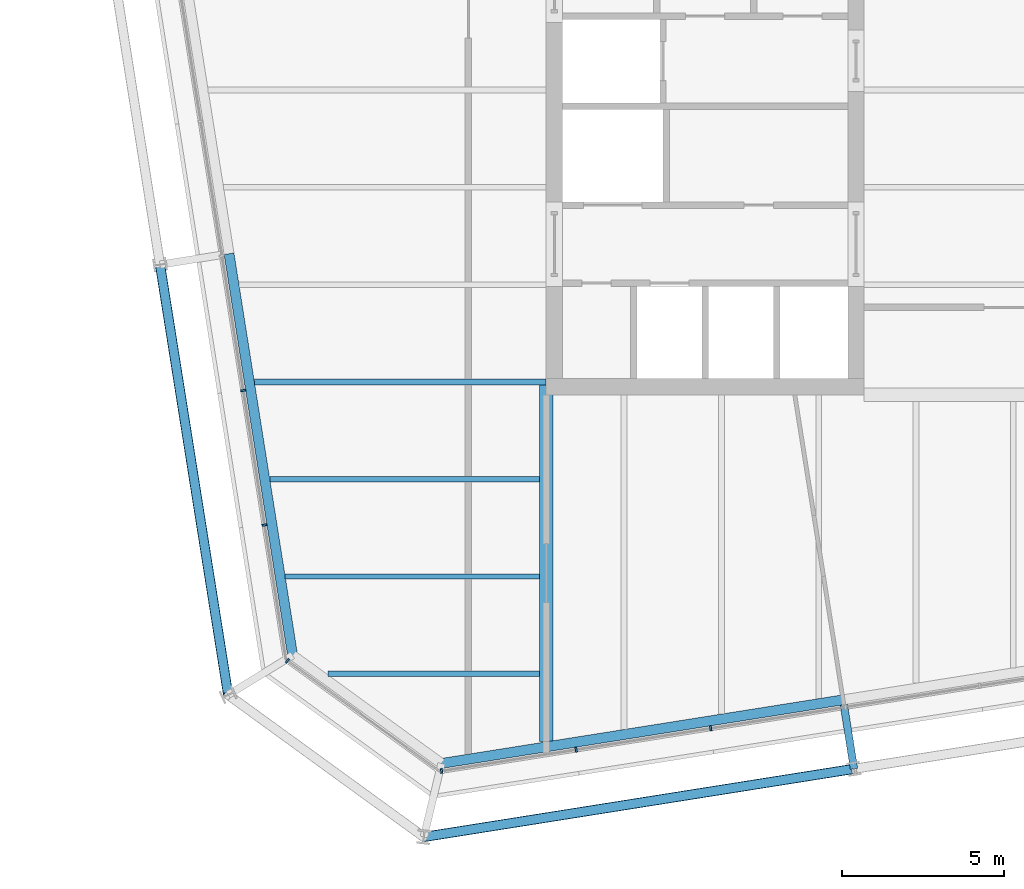
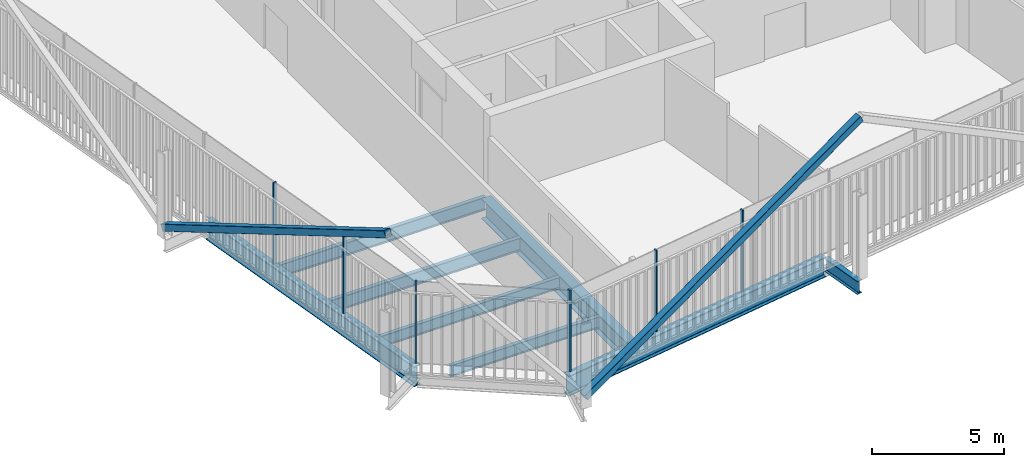
# One storey, part 2 of 21: 8 beams, 8 members, 3 elements without a shape of their own.
"""IFC4 building model written with IfcOpenShell, lengths in metres."""

from ifc_helpers import new_model, si_unit, direction, frame, origin, origin_2d, place, context, subcontext, project, spatial, rectangle, hollow_rectangle, i_section, extrude, material, layer, layer_set, material_profile, profile_set, type_object, element, aggregate, save


model = new_model("IFC4")

# Units and contexts
model_context = context("Model", 3, precision=1e-05, world=origin(), true_north=direction((0.0, 1.0)))
body_context = subcontext(model_context, "Body", "Model", "MODEL_VIEW")
ifc_project = project(units=[si_unit("LENGTHUNIT", "METRE"), si_unit("AREAUNIT", "SQUARE_METRE"), si_unit("VOLUMEUNIT", "CUBIC_METRE"), si_unit("PLANEANGLEUNIT", "RADIAN"), si_unit("MASSUNIT", "GRAM", prefix="KILO")], contexts=[model_context])

# Site, building, storey
site_placement = place(None, origin())
site = spatial("IfcSite", under=ifc_project, at=site_placement, CompositionType="ELEMENT")
building_placement = place(site_placement, origin())
building = spatial("IfcBuilding", under=site, at=building_placement, Name="Millrace Tower", CompositionType="ELEMENT")
storey_placement = place(building_placement, frame((0.0, 0.0, 228.10009765625)))
storey = spatial("IfcBuildingStorey", under=building, at=storey_placement, Name="L52", CompositionType="ELEMENT", Elevation=228.10009765625)

# Curtain wall, member
ifc_material_1 = material(Name="Aluminium and glass", Category="aluminium")
ifc_layer = layer(ifc_material_1, 0.14990234375)
ifc_layer_set = layer_set([ifc_layer], Name="Aluminium and glass")
curtain_wall_type = type_object("IfcCurtainWallType", Name="CW-1 office vision curtain wall", PredefinedType="NOTDEFINED", material=ifc_layer_set)
placement = place(storey_placement, origin())
curtain_wall_1 = element("IfcCurtainWall", 1, at=placement, inside=storey, type_object=curtain_wall_type, Name="Curtain wall D-F01 L52", PredefinedType="NOTDEFINED")
ifc_material_2 = material(Name="Aluminium", Category="aluminium")
ifc_material_profile_1 = material_profile(ifc_material_2, rectangle(XDim=0.06494140625, YDim=0.14990234375, at=origin_2d()))
ifc_profile_set_1 = profile_set([ifc_material_profile_1], Name="Aluminium")
member_type_1 = type_object("IfcMemberType", Name="CW-1 office vision curtain wall mullion", PredefinedType="MULLION", material=ifc_profile_set_1)
member_1_placement = place(storey_placement, frame((-22.3779296875, -17.594970703125, 0.139892578125), z_axis=(0.0, 0.0, 1.0), x_axis=(0.809016955361, -0.587785305991, 0.0)))
member_1 = element("IfcMember", 2, at=member_1_placement, type_object=member_type_1, Name="CW1 mullion D-F01.1", PredefinedType="MULLION", context=body_context, shape_type="SweptSolid", body=[
    extrude(rectangle(XDim=0.06494140625, YDim=0.14990234375, at=origin_2d()), origin(), (0.0, 0.0, 1.0), 3.760009765625),
])
aggregate(curtain_wall_1, [member_1])

# Curtain wall, members
curtain_wall_2 = element("IfcCurtainWall", 3, at=placement, inside=storey, type_object=curtain_wall_type, Name="Curtain wall D-F02 L52", PredefinedType="NOTDEFINED")
member_2_placement = place(storey_placement, frame((-17.62548828125, -20.992431640625, 0.139892578125), z_axis=(0.0, 0.0, 1.0), x_axis=(0.987688339511, 0.156434471884, 0.0)))
member_2 = element("IfcMember", 4, at=member_2_placement, type_object=member_type_1, Name="CW1 mullion D-F02.1", PredefinedType="MULLION", context=body_context, shape_type="SweptSolid", body=[
    extrude(rectangle(XDim=0.06494140625, YDim=0.14990234375, at=origin_2d()), origin(), (0.0, 0.0, 1.0), 3.760009765625),
])
member_3_placement = place(storey_placement, frame((-13.477294921875, -20.33544921875, 0.139892578125), z_axis=(0.0, 0.0, 1.0), x_axis=(0.987688339511, 0.156434471884, 0.0)))
member_3 = element("IfcMember", 5, at=member_3_placement, type_object=member_type_1, Name="CW1 mullion D-F02.2", PredefinedType="MULLION", context=body_context, shape_type="SweptSolid", body=[
    extrude(rectangle(XDim=0.06494140625, YDim=0.14990234375, at=origin_2d()), origin(), (0.0, 0.0, 1.0), 3.760009765625),
])
member_4_placement = place(storey_placement, frame((-9.328857421875, -19.678466796875, 0.139892578125), z_axis=(0.0, 0.0, 1.0), x_axis=(0.987688339511, 0.156434471884, 0.0)))
member_4 = element("IfcMember", 6, at=member_4_placement, type_object=member_type_1, Name="CW1 mullion D-F02.3", PredefinedType="MULLION", context=body_context, shape_type="SweptSolid", body=[
    extrude(rectangle(XDim=0.06494140625, YDim=0.14990234375, at=origin_2d()), origin(), (0.0, 0.0, 1.0), 3.760009765625),
])
aggregate(curtain_wall_2, [member_2, member_3, member_4])

curtain_wall_3 = element("IfcCurtainWall", 7, at=placement, inside=storey, type_object=curtain_wall_type, Name="Curtain wall D-F08 L52", PredefinedType="NOTDEFINED")
member_5_placement = place(storey_placement, frame((-23.7431640625, -9.262451171875, 0.139892578125), z_axis=(0.0, 0.0, 1.0), x_axis=(0.156434471884, -0.987688339511, 0.0)))
member_5 = element("IfcMember", 8, at=member_5_placement, type_object=member_type_1, Name="CW1 mullion D-F08.8", PredefinedType="MULLION", context=body_context, shape_type="SweptSolid", body=[
    extrude(rectangle(XDim=0.06494140625, YDim=0.14990234375, at=origin_2d()), origin(), (0.0, 0.0, 1.0), 3.760009765625),
])
member_6_placement = place(storey_placement, frame((-23.086181640625, -13.410888671875, 0.139892578125), z_axis=(0.0, 0.0, 1.0), x_axis=(0.156434471884, -0.987688339511, 0.0)))
member_6 = element("IfcMember", 9, at=member_6_placement, type_object=member_type_1, Name="CW1 mullion D-F08.9", PredefinedType="MULLION", context=body_context, shape_type="SweptSolid", body=[
    extrude(rectangle(XDim=0.06494140625, YDim=0.14990234375, at=origin_2d()), origin(), (0.0, 0.0, 1.0), 3.760009765625),
])
aggregate(curtain_wall_3, [member_5, member_6])

# Members
ifc_material_3 = material(Name="Steel ASTM A500 Grade C", Category="steel")
ifc_material_profile_2 = material_profile(ifc_material_3, hollow_rectangle(XDim=0.3046875, YDim=0.3046875, WallThickness=0.0126953125, InnerFilletRadius=0.00634765625, OuterFilletRadius=0.01904296875, at=origin_2d()))
ifc_profile_set_2 = profile_set([ifc_material_profile_2], Name="Steel ASTM A500 Grade C")
member_type_2 = type_object("IfcMemberType", Name="Exoskeleton brace HSS12x12x1/2", PredefinedType="BRACE", material=ifc_profile_set_2)
member_7_placement = place(storey_placement, frame((-18.174560546875, -23.0283203125, 0.39990234375), z_axis=(0.875831763156, 0.138714339442, 0.462252154868), x_axis=(-0.156430301989, 0.987688999949, 0.0)))
element("IfcMember", 10, at=member_7_placement, inside=storey, type_object=member_type_2, Name="BRC-D-L52-02", PredefinedType="BRACE", context=body_context, shape_type="SweptSolid", body=[
    extrude(hollow_rectangle(XDim=0.3046875, YDim=0.3046875, WallThickness=0.0126953125, InnerFilletRadius=0.00634765625, OuterFilletRadius=0.01904296875, at=origin_2d()), origin(), (0.0, 0.0, 1.0), 15.143310546875),
])
member_8_placement = place(storey_placement, frame((-26.306640625, -5.38330078125, 0.39990234375), z_axis=(0.138712380788, -0.87583551821, 0.462245627841), x_axis=(0.987689444837, 0.156427492975, 0.0)))
element("IfcMember", 11, at=member_8_placement, inside=storey, type_object=member_type_2, Name="BRC-D-L52-16", PredefinedType="BRACE", context=body_context, shape_type="SweptSolid", body=[
    extrude(hollow_rectangle(XDim=0.3046875, YDim=0.3046875, WallThickness=0.0126953125, InnerFilletRadius=0.00634765625, OuterFilletRadius=0.01904296875, at=origin_2d()), origin(), (0.0, 0.0, 1.0), 15.1435546875),
])

# Beams
ifc_material_4 = material(Name="Steel ASTM A992 Grade 50", Category="steel")
ifc_material_profile_3 = material_profile(ifc_material_4, i_section(OverallWidth=0.1650390625, OverallDepth=0.52587890625, WebThickness=0.0087890625, FlangeThickness=0.011474609375, FilletRadius=0.0126953125, at=origin_2d()))
ifc_profile_set_3 = profile_set([ifc_material_profile_3], Name="Steel ASTM A992 Grade 50")
beam_type_1 = type_object("IfcBeamType", Name="Floor beam W21x44", PredefinedType="JOIST", material=ifc_profile_set_3)
beam_1_placement = place(storey_placement, frame((-22.447509765625, -15.0, -0.423095703125), z_axis=(1.0, 0.0, 0.0), x_axis=(0.0, 1.0, 0.0)))
element("IfcBeam", 12, at=beam_1_placement, inside=storey, type_object=beam_type_1, Name="BM-D-L52-S1-S002", PredefinedType="JOIST", context=body_context, shape_type="SweptSolid", body=[
    extrude(i_section(OverallWidth=0.1650390625, OverallDepth=0.52587890625, WebThickness=0.0087890625, FlangeThickness=0.011474609375, FilletRadius=0.0126953125, at=origin_2d()), origin(), (0.0, 0.0, 1.0), 7.837890625),
])
beam_2_placement = place(storey_placement, frame((-21.13427734375, -18.0, -0.423095703125), z_axis=(1.0, 0.0, 0.0), x_axis=(0.0, 1.0, 0.0)))
element("IfcBeam", 13, at=beam_2_placement, inside=storey, type_object=beam_type_1, Name="BM-D-L52-S1-S001", PredefinedType="JOIST", context=body_context, shape_type="SweptSolid", body=[
    extrude(i_section(OverallWidth=0.1650390625, OverallDepth=0.52587890625, WebThickness=0.0087890625, FlangeThickness=0.011474609375, FilletRadius=0.0126953125, at=origin_2d()), origin(), (0.0, 0.0, 1.0), 6.524658203125),
])
ifc_material_5 = material(Name="Steel ASTM A992 Grade 50", Category="steel")
ifc_material_profile_4 = material_profile(ifc_material_5, i_section(OverallWidth=0.177978515625, OverallDepth=0.599365234375, WebThickness=0.010009765625, FlangeThickness=0.012939453125, FilletRadius=0.012939453125, at=origin_2d()))
ifc_profile_set_4 = profile_set([ifc_material_profile_4], Name="Steel ASTM A992 Grade 50")
beam_type_2 = type_object("IfcBeamType", Name="Floor beam W24x55", PredefinedType="JOIST", material=ifc_profile_set_4)
beam_3_placement = place(storey_placement, frame((-22.922607421875, -12.0, -0.459716796875), z_axis=(1.0, 0.0, 0.0), x_axis=(0.0, 1.0, 0.0)))
element("IfcBeam", 14, at=beam_3_placement, inside=storey, type_object=beam_type_2, Name="BM-D-L52-S1-S004", PredefinedType="JOIST", context=body_context, shape_type="SweptSolid", body=[
    extrude(i_section(OverallWidth=0.177978515625, OverallDepth=0.599365234375, WebThickness=0.010009765625, FlangeThickness=0.012939453125, FilletRadius=0.012939453125, at=origin_2d()), origin(), (0.0, 0.0, 1.0), 8.31298828125),
])
beam_4_placement = place(storey_placement, frame((-23.397705078125, -9.0, -0.459716796875), z_axis=(1.0, 0.0, 0.0), x_axis=(0.0, 1.0, 0.0)))
element("IfcBeam", 15, at=beam_4_placement, inside=storey, type_object=beam_type_2, Name="BM-D-L52-S1-S006", PredefinedType="JOIST", context=body_context, shape_type="SweptSolid", body=[
    extrude(i_section(OverallWidth=0.177978515625, OverallDepth=0.599365234375, WebThickness=0.010009765625, FlangeThickness=0.012939453125, FilletRadius=0.012939453125, at=origin_2d()), origin(), (0.0, 0.0, 1.0), 8.997802734375),
])
ifc_material_6 = material(Name="Steel ASTM A992 Grade 50", Category="steel")
ifc_material_profile_5 = material_profile(ifc_material_6, i_section(OverallWidth=0.419189453125, OverallDepth=0.927001953125, WebThickness=0.019287109375, FlangeThickness=0.031982421875, FilletRadius=0.024169921875, at=origin_2d()))
ifc_profile_set_5 = profile_set([ifc_material_profile_5], Name="Steel ASTM A992 Grade 50")
beam_type_3 = type_object("IfcBeamType", Name="Girder short span W36x231", PredefinedType="BEAM", material=ifc_profile_set_5)
beam_5_placement = place(storey_placement, frame((-14.39990234375, -20.08642578125, -0.62353515625), z_axis=(0.0, 1.0, 0.0), x_axis=(-1.0, 0.0, 0.0)))
element("IfcBeam", 16, at=beam_5_placement, inside=storey, type_object=beam_type_3, Name="BM-D-L52-S1-G055", PredefinedType="BEAM", context=body_context, shape_type="SweptSolid", body=[
    extrude(i_section(OverallWidth=0.419189453125, OverallDepth=0.927001953125, WebThickness=0.019287109375, FlangeThickness=0.031982421875, FilletRadius=0.024169921875, at=origin_2d()), origin(), (0.0, 0.0, 1.0), 10.994384765625),
])
ifc_material_7 = material(Name="Steel ASTM A992 Grade 50", Category="steel")
ifc_material_profile_6 = material_profile(ifc_material_7, i_section(OverallWidth=0.23046875, OverallDepth=0.6171875, WebThickness=0.01318359375, FlangeThickness=0.022216796875, FilletRadius=0.012939453125, at=origin_2d()))
ifc_profile_set_6 = profile_set([ifc_material_profile_6], Name="Steel ASTM A992 Grade 50")
beam_type_4 = type_object("IfcBeamType", Name="Link beam W24x94", PredefinedType="BEAM", material=ifc_profile_set_6)
beam_6_placement = place(storey_placement, frame((-5.224365234375, -18.952392578125, -0.46875), z_axis=(0.15637629034, -0.987697552806, 0.0), x_axis=(0.987697552806, 0.15637629034, 0.0)))
element("IfcBeam", 17, at=beam_6_placement, inside=storey, type_object=beam_type_4, Name="LNK-D-L52-S1-15", PredefinedType="BEAM", context=body_context, shape_type="SweptSolid", body=[
    extrude(i_section(OverallWidth=0.23046875, OverallDepth=0.6171875, WebThickness=0.01318359375, FlangeThickness=0.022216796875, FilletRadius=0.012939453125, at=origin_2d()), origin(), (0.0, 0.0, 1.0), 2.0),
])
ifc_material_8 = material(Name="Steel ASTM A992 Grade 50", Category="steel")
ifc_material_profile_7 = material_profile(ifc_material_8, i_section(OverallWidth=0.307373046875, OverallDepth=0.927001953125, WebThickness=0.01953125, FlangeThickness=0.031982421875, FilletRadius=0.01904296875, at=origin_2d()))
ifc_profile_set_7 = profile_set([ifc_material_profile_7], Name="Steel ASTM A992 Grade 50")
beam_type_5 = type_object("IfcBeamType", Name="Ring beam medium span W36x194", PredefinedType="SPANDREL", material=ifc_profile_set_7)
beam_7_placement = place(storey_placement, frame((-22.218505859375, -17.428466796875, -0.62353515625), z_axis=(-0.156419577072, 0.987690698503, 0.0), x_axis=(-0.987690698503, -0.156419577072, 0.0)))
element("IfcBeam", 18, at=beam_7_placement, inside=storey, type_object=beam_type_5, Name="RNG-D-L52-S1-01", PredefinedType="SPANDREL", context=body_context, shape_type="SweptSolid", body=[
    extrude(i_section(OverallWidth=0.307373046875, OverallDepth=0.927001953125, WebThickness=0.01953125, FlangeThickness=0.031982421875, FilletRadius=0.01904296875, at=origin_2d()), origin(), (0.0, 0.0, 1.0), 12.536376953125),
])
beam_8_placement = place(storey_placement, frame((-5.24853515625, -18.800537109375, -0.62353515625), z_axis=(-0.987687213011, -0.156441584157, 0.0), x_axis=(0.156441584157, -0.987687213011, 0.0)))
element("IfcBeam", 19, at=beam_8_placement, inside=storey, type_object=beam_type_5, Name="RNG-D-L52-S1-15", PredefinedType="SPANDREL", context=body_context, shape_type="SweptSolid", body=[
    extrude(i_section(OverallWidth=0.307373046875, OverallDepth=0.927001953125, WebThickness=0.01953125, FlangeThickness=0.031982421875, FilletRadius=0.01904296875, at=origin_2d()), origin(), (0.0, 0.0, 1.0), 12.5361328125),
])

save(model, "model.ifc")
